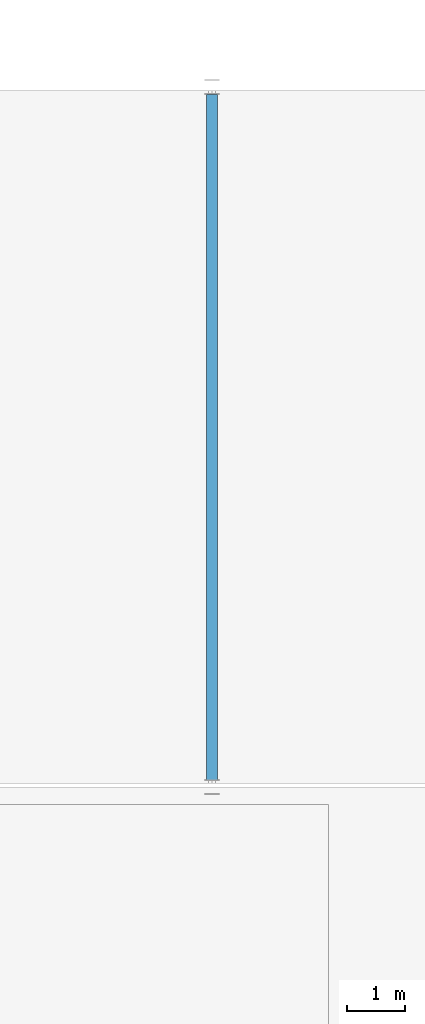
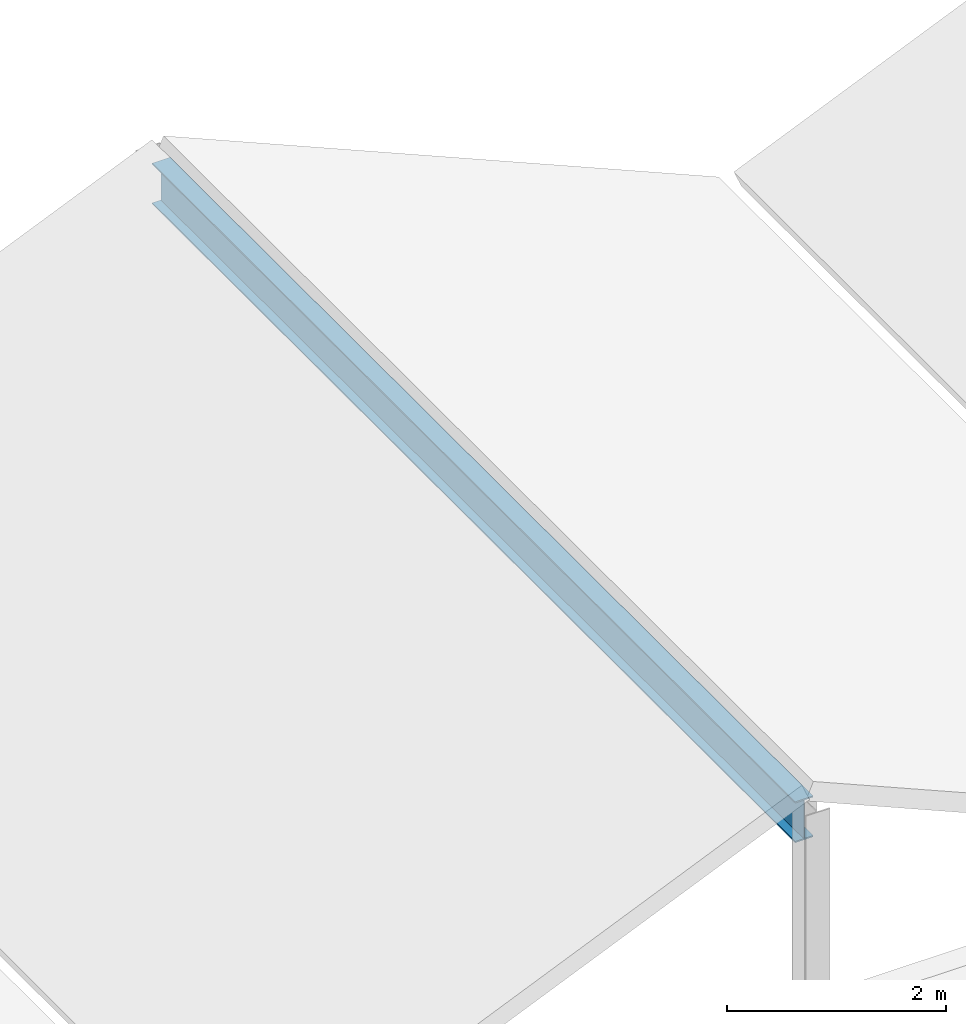
# One storey, part 181 of 236: 1 beam.
"""IFC4 building model written with IfcOpenShell, lengths in metres."""

from ifc_helpers import new_model, si_unit, direction, frame, origin, origin_2d, place, context, subcontext, project, spatial, i_section, extrude, material, material_profile, profile_set, type_object, element, save


model = new_model("IFC4")

# Units and contexts
model_context = context("Model", 3, precision=1e-05, world=origin(), true_north=direction((0.0, 1.0)))
body_context = subcontext(model_context, "Body", "Model", "MODEL_VIEW")
ifc_project = project(units=[si_unit("LENGTHUNIT", "METRE"), si_unit("AREAUNIT", "SQUARE_METRE"), si_unit("VOLUMEUNIT", "CUBIC_METRE"), si_unit("PLANEANGLEUNIT", "RADIAN"), si_unit("MASSUNIT", "GRAM", prefix="KILO")], contexts=[model_context])

# Site, building, storey
site_placement = place(None, origin())
site = spatial("IfcSite", under=ifc_project, at=site_placement, CompositionType="ELEMENT")
building_placement = place(site_placement, origin())
building = spatial("IfcBuilding", under=site, at=building_placement, Name="Pandanus Reach Market Hall", CompositionType="ELEMENT")
storey_placement = place(building_placement, frame((0.0, 0.0, 5.39990234375)))
storey = spatial("IfcBuildingStorey", under=building, at=storey_placement, Name="L01", CompositionType="ELEMENT", Elevation=5.39990234375)

# Beam
ifc_material = material(Name="Steel Grade 350 (350 MPa)", Category="steel")
ifc_material_profile = material_profile(ifc_material, i_section(OverallWidth=0.18994140625, OverallDepth=0.45703125, WebThickness=0.009033203125, FlangeThickness=0.014404296875, at=origin_2d()), Name="460UB74.6", Category="LoadBearing")
ifc_profile_set = profile_set([ifc_material_profile], Name="Steel Grade 350 (350 MPa)")
beam_type = type_object("IfcBeamType", Name="BM-UB460-E", PredefinedType="BEAM", material=ifc_profile_set)
beam_placement = place(storey_placement, frame((156.0, 108.123046875, 1.91015625), z_axis=(0.0, 1.0, 0.0), x_axis=(-1.0, 0.0, 0.0)))
element("IfcBeam", 1, at=beam_placement, inside=storey, type_object=beam_type, Name="Butterfly shell ridge tie beam L01.14", PredefinedType="BEAM", context=body_context, shape_type="SweptSolid", body=[
    extrude(i_section(OverallWidth=0.18994140625, OverallDepth=0.45703125, WebThickness=0.009033203125, FlangeThickness=0.014404296875, at=origin_2d()), origin(), (0.0, 0.0, 1.0), 11.75390625),
])

save(model, "model.ifc")
